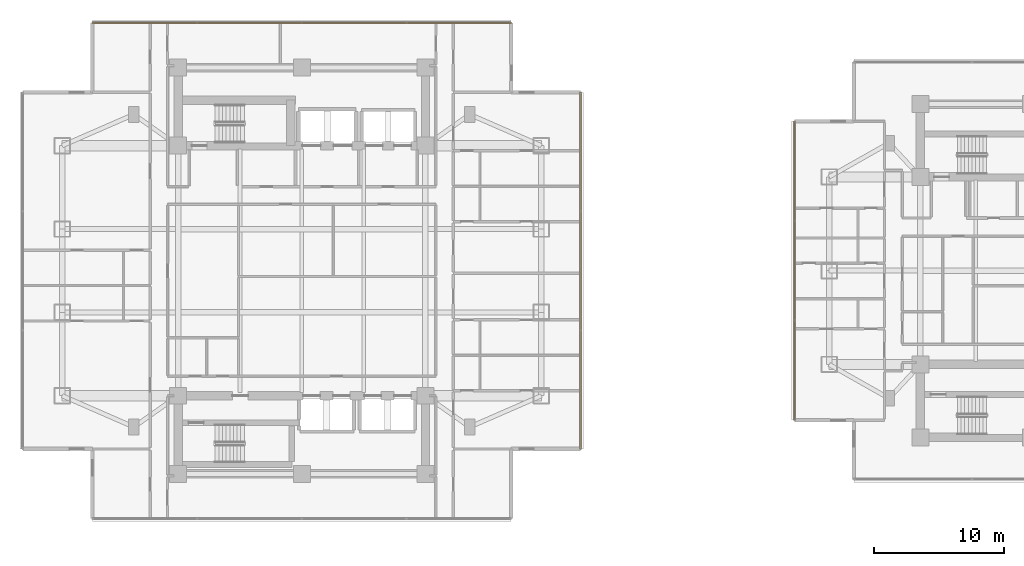
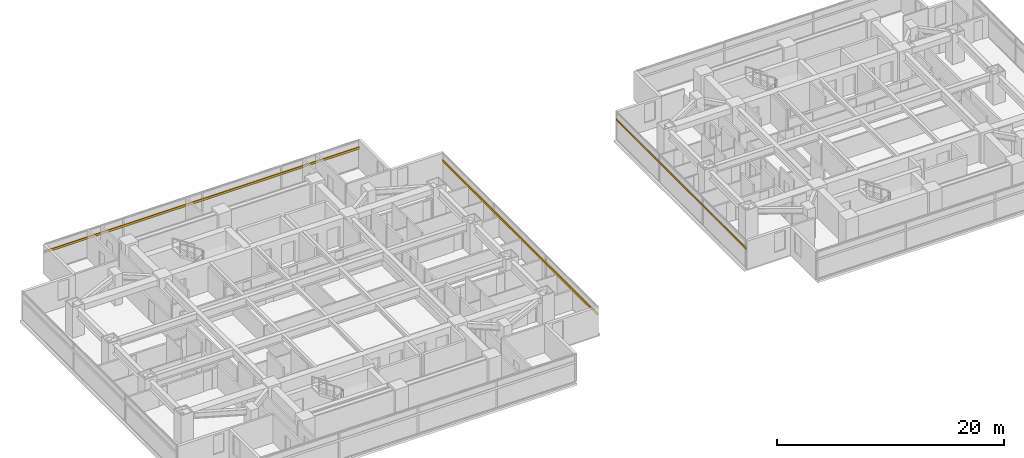
# One storey, part 21 of 24: 3 shading devices.
"""IFC4 building model written with IfcOpenShell, lengths in metres."""

from ifc_helpers import new_model, si_unit, direction, frame, origin, origin_2d, place, context, subcontext, project, spatial, rectangle, extrude, material, material_profile, profile_set, type_object, element, save


model = new_model("IFC4")

# Units and contexts
model_context = context("Model", 3, precision=1e-05, world=origin(), true_north=direction((0.0, 1.0)))
body_context = subcontext(model_context, "Body", "Model", "MODEL_VIEW")
ifc_project = project(units=[si_unit("LENGTHUNIT", "METRE"), si_unit("AREAUNIT", "SQUARE_METRE"), si_unit("VOLUMEUNIT", "CUBIC_METRE"), si_unit("PLANEANGLEUNIT", "RADIAN"), si_unit("MASSUNIT", "GRAM", prefix="KILO")], contexts=[model_context])

# Site, building, storey
site_placement = place(None, origin())
site = spatial("IfcSite", under=ifc_project, at=site_placement, CompositionType="ELEMENT")
building_placement = place(site_placement, origin())
building = spatial("IfcBuilding", under=site, at=building_placement, Name="Mirazonda Arch Towers", CompositionType="ELEMENT")
storey_placement = place(building_placement, frame((0.0, 0.0, 62.0)))
storey = spatial("IfcBuildingStorey", under=building, at=storey_placement, Name="L17", CompositionType="ELEMENT", Elevation=62.0)

# Shading devices
ifc_material = material(Name="Kiln-Fired Architectural Terracotta", Category="masonry")
ifc_material_profile_1 = material_profile(ifc_material, rectangle(XDim=0.1201171875, YDim=0.239990234375, at=origin_2d()), Name="TERRA-BAG-120x240")
ifc_profile_set_1 = profile_set([ifc_material_profile_1], Name="Kiln-Fired Architectural Terracotta")
shading_device_type_1 = type_object("IfcShadingDeviceType", Name="BAGUETTE-1", PredefinedType="USERDEFINED", material=ifc_profile_set_1)
shading_device_1_placement = place(storey_placement, frame((41.919921875, 14.305908203125, 2.188720703125), z_axis=(0.0, 1.0, 0.0), x_axis=(-1.0, 0.0, 0.0)))
element("IfcShadingDevice", 1, at=shading_device_1_placement, inside=storey, type_object=shading_device_type_1, Name="L17 Glazed Terracotta Sun-Screen Baguette CW-L17-T1-E", ObjectType="BAGUETTE", PredefinedType="USERDEFINED", context=body_context, shape_type="SweptSolid", body=[
    extrude(rectangle(XDim=0.1201171875, YDim=0.239990234375, at=origin_2d()), origin(), (0.0, 0.0, 1.0), 27.38818359375),
])
shading_device_2_placement = place(storey_placement, frame((4.419921875, 47.033935546875, 2.188720703125), z_axis=(1.0, 0.0, 0.0), x_axis=(0.0, 1.0, 0.0)))
element("IfcShadingDevice", 2, at=shading_device_2_placement, inside=storey, type_object=shading_device_type_1, Name="L17 Glazed Terracotta Sun-Screen Baguette CW-L17-T1-N", ObjectType="BAGUETTE", PredefinedType="USERDEFINED", context=body_context, shape_type="SweptSolid", body=[
    extrude(rectangle(XDim=0.1201171875, YDim=0.239990234375, at=origin_2d()), origin(), (0.0, 0.0, 1.0), 32.16015625),
])
ifc_material_profile_2 = material_profile(ifc_material, rectangle(XDim=0.10009765625, YDim=0.199951171875, at=origin_2d()), Name="TERRA-BAG-100x200")
ifc_profile_set_2 = profile_set([ifc_material_profile_2], Name="Kiln-Fired Architectural Terracotta")
shading_device_type_2 = type_object("IfcShadingDeviceType", Name="BAGUETTE-2", PredefinedType="USERDEFINED", material=ifc_profile_set_2)
shading_device_3_placement = place(storey_placement, frame((58.345947265625, 39.47998046875, 2.188720703125), z_axis=(0.0, -1.0, 0.0), x_axis=(1.0, 0.0, 0.0)))
element("IfcShadingDevice", 3, at=shading_device_3_placement, inside=storey, type_object=shading_device_type_2, Name="L17 Glazed Terracotta Sun-Screen Baguette CW-L17-T2-W", ObjectType="BAGUETTE", PredefinedType="USERDEFINED", context=body_context, shape_type="SweptSolid", body=[
    extrude(rectangle(XDim=0.10009765625, YDim=0.199951171875, at=origin_2d()), origin(), (0.0, 0.0, 1.0), 22.9599609375),
])

save(model, "model.ifc")
